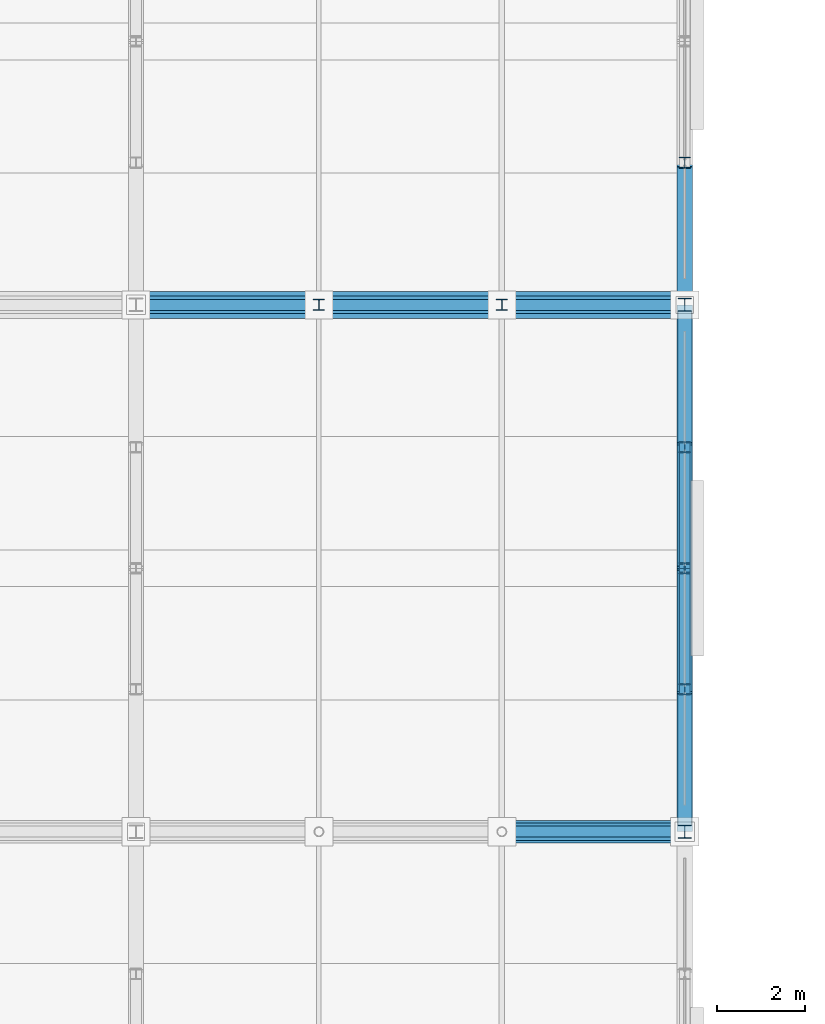
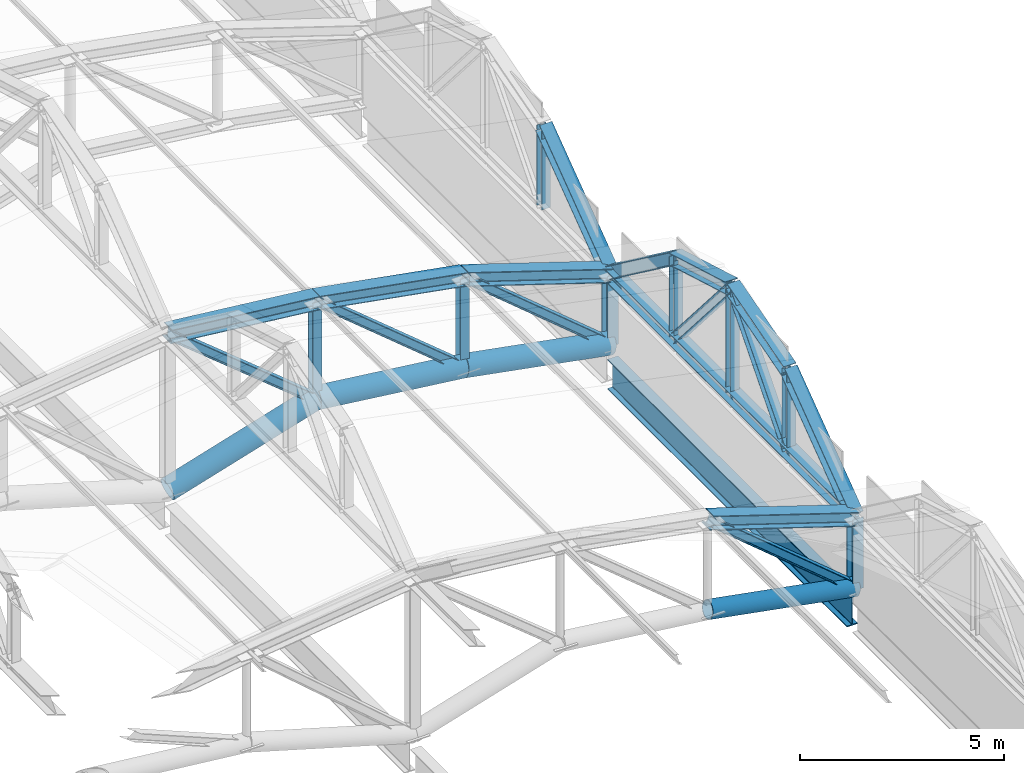
# One storey, part 62 of 117: 28 members, 1 beam.
"""IFC4 building model written with IfcOpenShell, lengths in metres."""

from ifc_helpers import new_model, si_unit, direction, frame, origin, origin_2d, place, context, subcontext, project, spatial, hollow_circle, i_section, extrude, material, material_profile, profile_set, type_object, element, save


model = new_model("IFC4")

# Units and contexts
model_context = context("Model", 3, precision=1e-05, world=origin(), true_north=direction((0.0, 1.0)))
body_context = subcontext(model_context, "Body", "Model", "MODEL_VIEW")
ifc_project = project(units=[si_unit("LENGTHUNIT", "METRE"), si_unit("AREAUNIT", "SQUARE_METRE"), si_unit("VOLUMEUNIT", "CUBIC_METRE"), si_unit("PLANEANGLEUNIT", "RADIAN"), si_unit("MASSUNIT", "GRAM", prefix="KILO")], contexts=[model_context])

# Site, building, storey
site_placement = place(None, origin())
site = spatial("IfcSite", under=ifc_project, at=site_placement, CompositionType="ELEMENT")
building_placement = place(site_placement, origin())
building = spatial("IfcBuilding", under=site, at=building_placement, Name="Kazenohara Klinker Stadium", CompositionType="ELEMENT")
storey_placement = place(building_placement, frame((0.0, 0.0, 31.199951171875)))
storey = spatial("IfcBuildingStorey", under=building, at=storey_placement, Name="RF", CompositionType="ELEMENT", Elevation=31.199951171875)

# Members
ifc_material = material(Name="Steel S355", Category="steel")
ifc_material_profile_1 = material_profile(ifc_material, i_section(OverallWidth=0.25, OverallDepth=0.25, WebThickness=0.009033203125, FlangeThickness=0.013916015625, FilletRadius=0.012939453125, at=origin_2d()), Name="H-250x250x9x14")
ifc_profile_set_1 = profile_set([ifc_material_profile_1], Name="Steel S355")
member_type_1 = type_object("IfcMemberType", Name="MEM-BRC02", PredefinedType="BRACE", material=ifc_profile_set_1)
for number, where, z_axis, x_axis, name in (
    (1, (187.5, 60.0, -0.02001953125), (-0.76843159807, 0.0, 0.639931933168), (0.0, -1.0, 0.0), "ROOF TRUSS RT-E02 web diagonal 1"),
    (2, (187.5, 72.0, -0.02001953125), (-0.76843159807, 0.0, 0.639931933168), (0.0, -1.0, 0.0), "ROOF TRUSS RT-E03 web diagonal 1"),
):
    element("IfcMember", number, at=place(storey_placement, frame(where, z_axis=z_axis, x_axis=x_axis)), inside=storey, type_object=member_type_1, Name=name, PredefinedType="BRACE", context=body_context, shape_type="SweptSolid", body=[
        extrude(i_section(OverallWidth=0.25, OverallDepth=0.25, WebThickness=0.009033203125, FlangeThickness=0.013916015625, FilletRadius=0.012939453125, at=origin_2d()), origin(), (0.0, 0.0, 1.0), 5.42236328125),
    ])
member_1_placement = place(storey_placement, frame((183.333251953125, 72.0, 0.75), z_axis=(-0.770229945983, 0.0, 0.637766281887), x_axis=(0.0, -1.0, 0.0)))
element("IfcMember", 3, at=member_1_placement, inside=storey, type_object=member_type_1, Name="ROOF TRUSS RT-E03 web diagonal 2", PredefinedType="BRACE", context=body_context, shape_type="SweptSolid", body=[
    extrude(i_section(OverallWidth=0.25, OverallDepth=0.25, WebThickness=0.009033203125, FlangeThickness=0.013916015625, FilletRadius=0.012939453125, at=origin_2d()), origin(), (0.0, 0.0, 1.0), 5.409423828125),
])
member_2_placement = place(storey_placement, frame((179.166748046875, 72.0, 1.25), z_axis=(-0.774777826172, 0.0, 0.632233596127), x_axis=(0.0, -1.0, 0.0)))
element("IfcMember", 4, at=member_2_placement, inside=storey, type_object=member_type_1, Name="ROOF TRUSS RT-E03 web diagonal 3", PredefinedType="BRACE", context=body_context, shape_type="SweptSolid", body=[
    extrude(i_section(OverallWidth=0.25, OverallDepth=0.25, WebThickness=0.009033203125, FlangeThickness=0.013916015625, FilletRadius=0.012939453125, at=origin_2d()), origin(), (0.0, 0.0, 1.0), 5.3779296875),
])
ifc_material_profile_2 = material_profile(ifc_material, i_section(OverallWidth=0.39990234375, OverallDepth=0.39990234375, WebThickness=0.012939453125, FlangeThickness=0.02099609375, FilletRadius=0.02197265625, at=origin_2d()), Name="H-400x400x13x21")
ifc_profile_set_2 = profile_set([ifc_material_profile_2], Name="Steel S355")
member_type_2 = type_object("IfcMemberType", Name="MEM-CHD01", PredefinedType="CHORD", material=ifc_profile_set_2)
for number, where, z_axis, x_axis, name in (
    (5, (187.5, 60.0, 2.10009765625), (-0.951324890397, 0.0, 0.308189800141), (0.0, -1.0, 0.0), "ROOF TRUSS RT-E02 top arched chord 1"),
    (6, (187.5, 72.0, 2.10009765625), (-0.951324890397, 0.0, 0.308189800141), (0.0, -1.0, 0.0), "ROOF TRUSS RT-E03 top arched chord 1"),
):
    element("IfcMember", number, at=place(storey_placement, frame(where, z_axis=z_axis, x_axis=x_axis)), inside=storey, type_object=member_type_2, Name=name, PredefinedType="CHORD", context=body_context, shape_type="SweptSolid", body=[
        extrude(i_section(OverallWidth=0.39990234375, OverallDepth=0.39990234375, WebThickness=0.012939453125, FlangeThickness=0.02099609375, FilletRadius=0.02197265625, at=origin_2d()), origin(), (0.0, 0.0, 1.0), 4.3798828125),
    ])
member_3_placement = place(storey_placement, frame((183.333251953125, 72.0, 3.449951171875), z_axis=(-0.984182117389, 0.0, 0.177159701431), x_axis=(0.0, -1.0, 0.0)))
element("IfcMember", 7, at=member_3_placement, inside=storey, type_object=member_type_2, Name="ROOF TRUSS RT-E03 top arched chord 2", PredefinedType="CHORD", context=body_context, shape_type="SweptSolid", body=[
    extrude(i_section(OverallWidth=0.39990234375, OverallDepth=0.39990234375, WebThickness=0.012939453125, FlangeThickness=0.02099609375, FilletRadius=0.02197265625, at=origin_2d()), origin(), (0.0, 0.0, 1.0), 4.2333984375),
])
member_4_placement = place(storey_placement, frame((179.166748046875, 72.0, 4.199951171875), z_axis=(-0.994213775272, 0.0, 0.107419593461), x_axis=(0.0, -1.0, 0.0)))
element("IfcMember", 8, at=member_4_placement, inside=storey, type_object=member_type_2, Name="ROOF TRUSS RT-E03 top arched chord 3", PredefinedType="CHORD", context=body_context, shape_type="SweptSolid", body=[
    extrude(i_section(OverallWidth=0.39990234375, OverallDepth=0.39990234375, WebThickness=0.012939453125, FlangeThickness=0.02099609375, FilletRadius=0.02197265625, at=origin_2d()), origin(), (0.0, 0.0, 1.0), 4.19091796875),
])
ifc_material_profile_3 = material_profile(ifc_material, i_section(OverallWidth=0.35009765625, OverallDepth=0.35009765625, WebThickness=0.011962890625, FlangeThickness=0.01904296875, FilletRadius=0.012939453125, at=origin_2d()), Name="H-350x350x12x19")
ifc_profile_set_3 = profile_set([ifc_material_profile_3], Name="Steel S355")
member_type_3 = type_object("IfcMemberType", Name="MEM-CHD02", PredefinedType="CHORD", material=ifc_profile_set_3)
member_5_placement = place(storey_placement, frame((187.5, 60.0, 2.10009765625), z_axis=(0.0, 1.0, 0.0), x_axis=(-1.0, 0.0, 0.0)))
element("IfcMember", 9, at=member_5_placement, inside=storey, type_object=member_type_3, Name="Barrel arch tie chord TC02 E-02-N0", PredefinedType="CHORD", context=body_context, shape_type="SweptSolid", body=[
    extrude(i_section(OverallWidth=0.35009765625, OverallDepth=0.35009765625, WebThickness=0.011962890625, FlangeThickness=0.01904296875, FilletRadius=0.012939453125, at=origin_2d()), origin(), (0.0, 0.0, 1.0), 12.0),
])
member_6_placement = place(storey_placement, frame((187.5, 60.0, 2.10009765625), z_axis=(0.0, 0.803567919639, 0.595213069856), x_axis=(-1.0, 0.0, 0.0)))
element("IfcMember", 10, at=member_6_placement, inside=storey, type_object=member_type_3, Name="Barrel arch top rib TC02 E-02-N0-S1", PredefinedType="CHORD", context=body_context, shape_type="SweptSolid", body=[
    extrude(i_section(OverallWidth=0.35009765625, OverallDepth=0.35009765625, WebThickness=0.011962890625, FlangeThickness=0.01904296875, FilletRadius=0.012939453125, at=origin_2d()), origin(), (0.0, 0.0, 1.0), 4.031982421875),
])
for number, where, z_axis, x_axis, name in (
    (11, (187.5, 63.239990234375, 4.5), (0.0, 0.960462085918, 0.27841081429), (-1.0, 0.0, 0.0), "Barrel arch top rib TC02 E-02-N0-S2"),
    (12, (187.5, 66.0, 5.300048828125), (0.0, 0.960462085918, -0.27841081429), (-1.0, 0.0, 0.0), "Barrel arch top rib TC02 E-02-N0-S3"),
):
    element("IfcMember", number, at=place(storey_placement, frame(where, z_axis=z_axis, x_axis=x_axis)), inside=storey, type_object=member_type_3, Name=name, PredefinedType="CHORD", context=body_context, shape_type="SweptSolid", body=[
        extrude(i_section(OverallWidth=0.35009765625, OverallDepth=0.35009765625, WebThickness=0.011962890625, FlangeThickness=0.01904296875, FilletRadius=0.012939453125, at=origin_2d()), origin(), (0.0, 0.0, 1.0), 2.87353515625),
    ])
for number, where, z_axis, x_axis, name in (
    (13, (187.5, 68.760009765625, 4.5), (0.0, 0.803567919639, -0.595213069856), (-1.0, 0.0, 0.0), "Barrel arch top rib TC02 E-02-N0-S4"),
    (14, (187.5, 72.0, 2.10009765625), (0.0, 0.803567919639, 0.595213069856), (-1.0, 0.0, 0.0), "Barrel arch top rib TC02 E-03-N0-S1"),
):
    element("IfcMember", number, at=place(storey_placement, frame(where, z_axis=z_axis, x_axis=x_axis)), inside=storey, type_object=member_type_3, Name=name, PredefinedType="CHORD", context=body_context, shape_type="SweptSolid", body=[
        extrude(i_section(OverallWidth=0.35009765625, OverallDepth=0.35009765625, WebThickness=0.011962890625, FlangeThickness=0.01904296875, FilletRadius=0.012939453125, at=origin_2d()), origin(), (0.0, 0.0, 1.0), 4.031982421875),
    ])
ifc_material_profile_4 = material_profile(ifc_material, hollow_circle(Radius=0.25390625, WallThickness=0.01611328125, at=origin_2d()), Name="CHS-508.0x16")
ifc_profile_set_4 = profile_set([ifc_material_profile_4], Name="Steel S355")
member_type_4 = type_object("IfcMemberType", Name="MEM-CHD04", PredefinedType="CHORD", material=ifc_profile_set_4)
member_7_placement = place(storey_placement, frame((187.5, 60.0, -0.02001953125), z_axis=(-0.983349564566, 0.0, 0.181724059685), x_axis=(0.0, -1.0, 0.0)))
element("IfcMember", 15, at=member_7_placement, inside=storey, type_object=member_type_4, Name="ROOF TRUSS RT-E02 bottom arched chord 1", PredefinedType="CHORD", context=body_context, shape_type="SweptSolid", body=[
    extrude(hollow_circle(Radius=0.25390625, WallThickness=0.01611328125, at=origin_2d()), origin(), (0.0, 0.0, 1.0), 4.2373046875),
])
ifc_material_profile_5 = material_profile(ifc_material, hollow_circle(Radius=0.3046875, WallThickness=0.01611328125, at=origin_2d()), Name="CHS-609.6x16")
ifc_profile_set_5 = profile_set([ifc_material_profile_5], Name="Steel S355")
member_type_5 = type_object("IfcMemberType", Name="MEM-CHD05", PredefinedType="CHORD", material=ifc_profile_set_5)
member_8_placement = place(storey_placement, frame((187.5, 72.0, -0.02001953125), z_axis=(-0.983349564566, 0.0, 0.181724059685), x_axis=(0.0, -1.0, 0.0)))
element("IfcMember", 16, at=member_8_placement, inside=storey, type_object=member_type_5, Name="ROOF TRUSS RT-E03 bottom arched chord 1", PredefinedType="CHORD", context=body_context, shape_type="SweptSolid", body=[
    extrude(hollow_circle(Radius=0.3046875, WallThickness=0.01611328125, at=origin_2d()), origin(), (0.0, 0.0, 1.0), 4.2373046875),
])
member_9_placement = place(storey_placement, frame((183.333251953125, 72.0, 0.75), z_axis=(-0.99287628789, 0.0, 0.119149808836), x_axis=(0.0, -1.0, 0.0)))
element("IfcMember", 17, at=member_9_placement, inside=storey, type_object=member_type_5, Name="ROOF TRUSS RT-E03 bottom arched chord 2", PredefinedType="CHORD", context=body_context, shape_type="SweptSolid", body=[
    extrude(hollow_circle(Radius=0.3046875, WallThickness=0.01611328125, at=origin_2d()), origin(), (0.0, 0.0, 1.0), 4.1962890625),
])
member_10_placement = place(storey_placement, frame((179.166748046875, 72.0, 1.25), z_axis=(-0.956553656775, 0.0, -0.291556343971), x_axis=(0.0, -1.0, 0.0)))
element("IfcMember", 18, at=member_10_placement, inside=storey, type_object=member_type_5, Name="ROOF TRUSS RT-E03 bottom arched chord 3", PredefinedType="CHORD", context=body_context, shape_type="SweptSolid", body=[
    extrude(hollow_circle(Radius=0.3046875, WallThickness=0.01611328125, at=origin_2d()), origin(), (0.0, 0.0, 1.0), 4.35595703125),
])
ifc_material_profile_6 = material_profile(ifc_material, i_section(OverallWidth=0.300048828125, OverallDepth=0.300048828125, WebThickness=0.010009765625, FlangeThickness=0.014892578125, FilletRadius=0.012939453125, at=origin_2d()), Name="H-300x300x10x15")
ifc_profile_set_6 = profile_set([ifc_material_profile_6], Name="Steel S355")
member_type_6 = type_object("IfcMemberType", Name="MEM-STR01", PredefinedType="STRUT", material=ifc_profile_set_6)
for number, where, z_axis, x_axis, name in (
    (19, (187.5, 60.0, -0.02001953125), (0.0, 0.0, 1.0), (1.0, 0.0, 0.0), "ROOF TRUSS RT-E02 web post 1"),
    (20, (187.5, 72.0, -0.02001953125), (0.0, 0.0, 1.0), (1.0, 0.0, 0.0), "ROOF TRUSS RT-E03 web post 1"),
):
    element("IfcMember", number, at=place(storey_placement, frame(where, z_axis=z_axis, x_axis=x_axis)), inside=storey, type_object=member_type_6, Name=name, PredefinedType="STRUT", context=body_context, shape_type="SweptSolid", body=[
        extrude(i_section(OverallWidth=0.300048828125, OverallDepth=0.300048828125, WebThickness=0.010009765625, FlangeThickness=0.014892578125, FilletRadius=0.012939453125, at=origin_2d()), origin(), (0.0, 0.0, 1.0), 2.1201171875),
    ])
ifc_material_profile_7 = material_profile(ifc_material, i_section(OverallWidth=0.25, OverallDepth=0.25, WebThickness=0.009033203125, FlangeThickness=0.013916015625, FilletRadius=0.012939453125, at=origin_2d()), Name="H-250x250x9x14")
ifc_profile_set_7 = profile_set([ifc_material_profile_7], Name="Steel S355")
member_type_7 = type_object("IfcMemberType", Name="MEM-STR02", PredefinedType="STRUT", material=ifc_profile_set_7)
member_11_placement = place(storey_placement, frame((183.333251953125, 72.0, 0.75), z_axis=(0.0, 0.0, 1.0), x_axis=(1.0, 0.0, 0.0)))
element("IfcMember", 21, at=member_11_placement, inside=storey, type_object=member_type_7, Name="ROOF TRUSS RT-E03 web post 2", PredefinedType="STRUT", context=body_context, shape_type="SweptSolid", body=[
    extrude(i_section(OverallWidth=0.25, OverallDepth=0.25, WebThickness=0.009033203125, FlangeThickness=0.013916015625, FilletRadius=0.012939453125, at=origin_2d()), origin(), (0.0, 0.0, 1.0), 2.699951171875),
])
member_12_placement = place(storey_placement, frame((179.166748046875, 72.0, 1.25), z_axis=(0.0, 0.0, 1.0), x_axis=(1.0, 0.0, 0.0)))
element("IfcMember", 22, at=member_12_placement, inside=storey, type_object=member_type_7, Name="ROOF TRUSS RT-E03 web post 3", PredefinedType="STRUT", context=body_context, shape_type="SweptSolid", body=[
    extrude(i_section(OverallWidth=0.25, OverallDepth=0.25, WebThickness=0.009033203125, FlangeThickness=0.013916015625, FilletRadius=0.012939453125, at=origin_2d()), origin(), (0.0, 0.0, 1.0), 2.949951171875),
])
member_13_placement = place(storey_placement, frame((187.5, 63.239990234375, 2.10009765625), z_axis=(0.0, 0.0, 1.0), x_axis=(1.0, 0.0, 0.0)))
element("IfcMember", 23, at=member_13_placement, inside=storey, type_object=member_type_7, Name="Barrel arch web post TS02 E-02-N0-P1", PredefinedType="STRUT", context=body_context, shape_type="SweptSolid", body=[
    extrude(i_section(OverallWidth=0.25, OverallDepth=0.25, WebThickness=0.009033203125, FlangeThickness=0.013916015625, FilletRadius=0.012939453125, at=origin_2d()), origin(), (0.0, 0.0, 1.0), 2.39990234375),
])
member_14_placement = place(storey_placement, frame((187.5, 66.0, 2.10009765625), z_axis=(0.0, 0.0, 1.0), x_axis=(1.0, 0.0, 0.0)))
element("IfcMember", 24, at=member_14_placement, inside=storey, type_object=member_type_7, Name="Barrel arch web post TS02 E-02-N0-P2", PredefinedType="STRUT", context=body_context, shape_type="SweptSolid", body=[
    extrude(i_section(OverallWidth=0.25, OverallDepth=0.25, WebThickness=0.009033203125, FlangeThickness=0.013916015625, FilletRadius=0.012939453125, at=origin_2d()), origin(), (0.0, 0.0, 1.0), 3.199951171875),
])
member_15_placement = place(storey_placement, frame((187.5, 68.760009765625, 2.10009765625), z_axis=(0.0, 0.0, 1.0), x_axis=(1.0, 0.0, 0.0)))
element("IfcMember", 25, at=member_15_placement, inside=storey, type_object=member_type_7, Name="Barrel arch web post TS02 E-02-N0-P3", PredefinedType="STRUT", context=body_context, shape_type="SweptSolid", body=[
    extrude(i_section(OverallWidth=0.25, OverallDepth=0.25, WebThickness=0.009033203125, FlangeThickness=0.013916015625, FilletRadius=0.012939453125, at=origin_2d()), origin(), (0.0, 0.0, 1.0), 2.39990234375),
])
for number, where, z_axis, x_axis, name in (
    (26, (187.5, 63.239990234375, 2.10009765625), (0.0, 0.653133887971, 0.757242447558), (-1.0, 0.0, 0.0), "Barrel arch web diagonal TS02 E-02-N0-D1"),
    (27, (187.5, 68.760009765625, 2.10009765625), (0.0, -0.653133887971, 0.757242447558), (1.0, 0.0, 0.0), "Barrel arch web diagonal TS02 E-02-N0-D2"),
):
    element("IfcMember", number, at=place(storey_placement, frame(where, z_axis=z_axis, x_axis=x_axis)), inside=storey, type_object=member_type_7, Name=name, PredefinedType="STRUT", context=body_context, shape_type="SweptSolid", body=[
        extrude(i_section(OverallWidth=0.25, OverallDepth=0.25, WebThickness=0.009033203125, FlangeThickness=0.013916015625, FilletRadius=0.012939453125, at=origin_2d()), origin(), (0.0, 0.0, 1.0), 4.225830078125),
    ])
member_16_placement = place(storey_placement, frame((187.5, 75.239990234375, 2.10009765625), z_axis=(0.0, 0.0, 1.0), x_axis=(1.0, 0.0, 0.0)))
element("IfcMember", 28, at=member_16_placement, inside=storey, type_object=member_type_7, Name="Barrel arch web post TS02 E-03-N0-P1", PredefinedType="STRUT", context=body_context, shape_type="SweptSolid", body=[
    extrude(i_section(OverallWidth=0.25, OverallDepth=0.25, WebThickness=0.009033203125, FlangeThickness=0.013916015625, FilletRadius=0.012939453125, at=origin_2d()), origin(), (0.0, 0.0, 1.0), 2.39990234375),
])

# Beam
ifc_material_profile_8 = material_profile(ifc_material, i_section(OverallWidth=0.300048828125, OverallDepth=0.89990234375, WebThickness=0.01611328125, FlangeThickness=0.028076171875, FilletRadius=0.02197265625, at=origin_2d()), Name="H-900x300x16x28")
ifc_profile_set_8 = profile_set([ifc_material_profile_8], Name="Steel S355")
beam_type = type_object("IfcBeamType", Name="RING-RB01", PredefinedType="USERDEFINED", material=ifc_profile_set_8)
beam_placement = place(storey_placement, frame((187.5, 60.139892578125, -0.820068359375), z_axis=(0.0, 1.0, 0.0), x_axis=(-1.0, 0.0, 0.0)))
element("IfcBeam", 29, at=beam_placement, inside=storey, type_object=beam_type, Name="Roof ring beam RB01 E-OUT F-G", ObjectType="RING BEAM", PredefinedType="USERDEFINED", context=body_context, shape_type="SweptSolid", body=[
    extrude(i_section(OverallWidth=0.300048828125, OverallDepth=0.89990234375, WebThickness=0.01611328125, FlangeThickness=0.028076171875, FilletRadius=0.02197265625, at=origin_2d()), origin(), (0.0, 0.0, 1.0), 11.72021484375),
])

save(model, "model.ifc")
